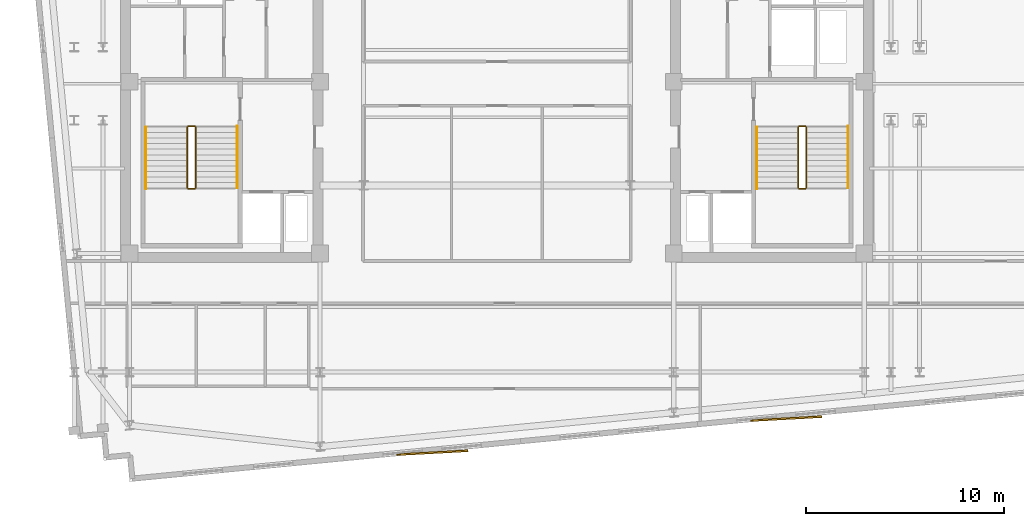
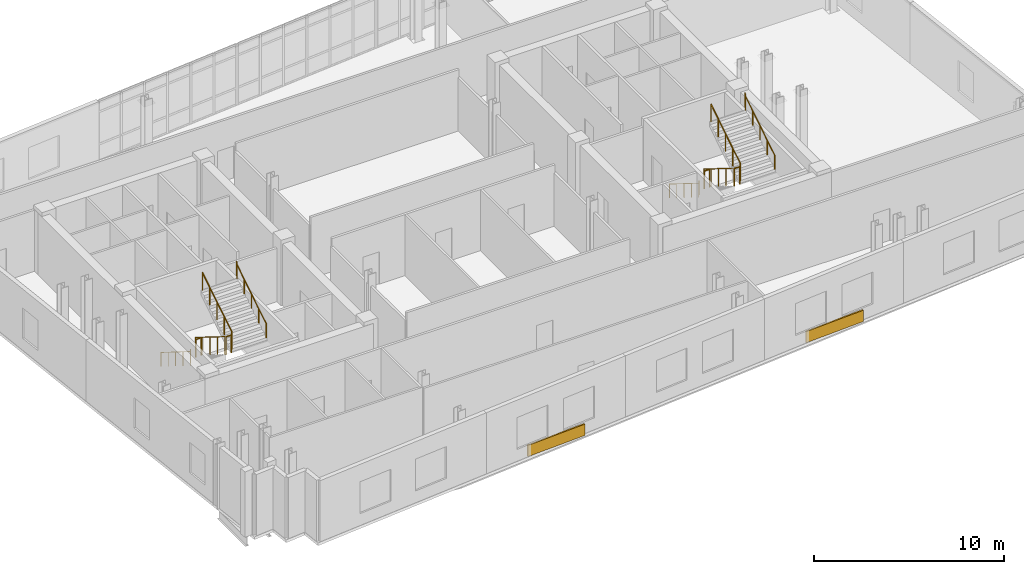
# One storey, part 10 of 11: 12 railings, 2 coverings.
"""IFC4 building model written with IfcOpenShell, lengths in metres."""

import ifcopenshell
import ifcopenshell.guid

model = None  # the IFC model being written
_history = None  # IfcOwnerHistory: only IFC2X3 demands one
_inside = {}  # id of a spatial element -> (the spatial element, [elements in it])
_under = {}  # id of a project, library or spatial element -> (it, [spatial elements below it])
_declared = {}  # id of a project -> (the project, [libraries it declares])
_typed = {}  # id of a type object -> (the type object, [elements of that type])
_made_of = {}  # id of a material, layer set ... -> (it, [elements and type objects made of it])


def new_model(schema):
    """Start an empty IFC model of exactly this schema.

    Asked for "IFC4X3", IfcOpenShell would pick the latest addendum, in which some entities
    have other attributes; the version numbers below select the first issue.
    IFC2X3 requires an IfcOwnerHistory on every rooted entity: one is made here for all.
    """
    global model, _history
    if schema == "IFC4X3":
        model = ifcopenshell.file(schema_version=(4, 3, 0, 0))
    else:
        model = ifcopenshell.file(schema=schema)
    _inside.clear()
    _under.clear()
    _declared.clear()
    _typed.clear()
    _made_of.clear()
    _history = None
    if model.schema == "IFC2X3":
        org = make("IfcOrganization", Name="unknown")
        user = make(
            "IfcPersonAndOrganization",
            ThePerson=make("IfcPerson", FamilyName="unknown"),
            TheOrganization=org,
        )
        app = make(
            "IfcApplication",
            ApplicationDeveloper=org,
            Version="unknown",
            ApplicationFullName="unknown",
            ApplicationIdentifier="unknown",
        )
        _history = make(
            "IfcOwnerHistory",
            OwningUser=user,
            OwningApplication=app,
            ChangeAction="ADDED",
            CreationDate=0,
        )
    return model


def make(cls, **values):
    """One entity of the class cls with the attributes given. An attribute that is None is left unset."""
    return model.create_entity(
        cls, **{name: value for name, value in values.items() if value is not None}
    )


def rooted(cls, **values):
    """An entity with a GlobalId (a new one), such as an element, a storey or a relation."""
    return make(cls, GlobalId=ifcopenshell.guid.new(), OwnerHistory=_history, **values)


def si_unit(unit_type, name, prefix=None):
    """IfcSIUnit, for example si_unit("LENGTHUNIT", "METRE", prefix="MILLI")."""
    return make("IfcSIUnit", UnitType=unit_type, Prefix=prefix, Name=name)


def assignment(units):
    """IfcUnitAssignment: the units of a project."""
    return None if units is None else make("IfcUnitAssignment", Units=units)


def point(xyz):
    """IfcCartesianPoint."""
    return None if xyz is None else make("IfcCartesianPoint", Coordinates=xyz)


def direction(xyz):
    """IfcDirection."""
    return None if xyz is None else make("IfcDirection", DirectionRatios=xyz)


def frame(location, z_axis=None, x_axis=None):
    """IfcAxis2Placement3D, a coordinate frame: its origin and axes. An axis left out is left unset."""
    return make(
        "IfcAxis2Placement3D",
        Location=point(location),
        Axis=direction(z_axis),
        RefDirection=direction(x_axis),
    )


def frame_2d(location, x_axis=None):
    """IfcAxis2Placement2D, a coordinate frame in the plane: its origin and x axis."""
    return make(
        "IfcAxis2Placement2D", Location=point(location), RefDirection=direction(x_axis)
    )


def origin():
    """The frame at (0, 0, 0) with its axes left unset."""
    return frame((0.0, 0.0, 0.0))


def origin_2d():
    """The frame at (0, 0) in the plane with its x axis left unset."""
    return frame_2d((0.0, 0.0))


def place(relative_to, where):
    """IfcLocalPlacement: puts the frame where relative to a parent placement (None: the world)."""
    return make(
        "IfcLocalPlacement", PlacementRelTo=relative_to, RelativePlacement=where
    )


def context(
    kind, dimensions, precision=None, world=None, true_north=None, identifier=None
):
    """IfcGeometricRepresentationContext, for example the 3D "Model" context."""
    return make(
        "IfcGeometricRepresentationContext",
        ContextIdentifier=identifier,
        ContextType=kind,
        CoordinateSpaceDimension=dimensions,
        Precision=precision,
        WorldCoordinateSystem=world,
        TrueNorth=true_north,
    )


def subcontext(parent, identifier, kind, view, scale=None):
    """IfcGeometricRepresentationSubContext, for example "Body" below "Model"."""
    return make(
        "IfcGeometricRepresentationSubContext",
        ContextIdentifier=identifier,
        ContextType=kind,
        ParentContext=parent,
        TargetScale=scale,
        TargetView=view,
    )


def project(units=None, contexts=None):
    """IfcProject with its units and contexts."""
    return rooted(
        "IfcProject",
        Name="project",
        RepresentationContexts=contexts,
        UnitsInContext=assignment(units),
    )


def spatial(cls, under=None, at=None, **own):
    """A site, building, storey or space (cls), placed at a placement, below another one or the project."""
    s = rooted(cls, ObjectPlacement=at, **own)
    if under is not None:
        _under.setdefault(under.id(), (under, []))[1].append(s)
    return s


def profile(cls, at=None, kind="AREA", **sizes):
    """A parametric profile (cls). Its sizes go by their IFC names, for example OverallWidth=200.0."""
    return make(cls, ProfileType=kind, Position=at, **sizes)


def rectangle(**sizes):
    """IfcRectangleProfileDef."""
    return profile("IfcRectangleProfileDef", **sizes)


def circle(**sizes):
    """IfcCircleProfileDef."""
    return profile("IfcCircleProfileDef", **sizes)


def extrude(swept, where, along, depth):
    """IfcExtrudedAreaSolid: the profile swept, set in the frame where, extruded along a direction by depth."""
    return make(
        "IfcExtrudedAreaSolid",
        SweptArea=swept,
        Position=where,
        ExtrudedDirection=direction(along),
        Depth=depth,
    )


def shape(context_of_items, identifier, shape_type, items):
    """IfcShapeRepresentation: the items that make up one representation, for example the "Body"."""
    return make(
        "IfcShapeRepresentation",
        ContextOfItems=context_of_items,
        RepresentationIdentifier=identifier,
        RepresentationType=shape_type,
        Items=items,
    )


def material(Name=None, Category=None):
    """IfcMaterial."""
    return make("IfcMaterial", Name=Name, Category=Category)


def layer(
    of_material, thickness, ventilated=None, Name=None, Category=None, Priority=None
):
    """IfcMaterialLayer: one layer of a wall or slab, of a material (None: an air gap)."""
    return make(
        "IfcMaterialLayer",
        Material=of_material,
        LayerThickness=thickness,
        IsVentilated=ventilated,
        Name=Name,
        Category=Category,
        Priority=Priority,
    )


def layer_set(layers, Name=None):
    """IfcMaterialLayerSet."""
    return make("IfcMaterialLayerSet", MaterialLayers=layers, LayerSetName=Name)


def made_of(thing, what):
    """Note that an element or type object is made of a material, layer set ...; save() writes the relation."""
    if what is not None:
        _made_of.setdefault(what.id(), (what, []))[1].append(thing)
    return thing


def type_object(cls, material=None, **own):
    """A type object (cls), such as IfcWallType, which elements share."""
    return made_of(rooted(cls, **own), material)


def element(
    cls,
    number,
    at=None,
    inside=None,
    cuts=None,
    type_object=None,
    material=None,
    context=None,
    identifier="Body",
    shape_type=None,
    held_by="IfcProductDefinitionShape",
    body=None,
    shapes=None,
    **own,
):
    """One element of the class cls, such as IfcWall. Its Tag is "e" and its number.

    at: its placement. inside: the storey or other place that contains it. cuts: it is an
    opening in that element (IfcRelVoidsElement). A single representation is given by context,
    identifier, shape_type and body (its items); several are given by shapes. held_by: the class
    of the entity that holds the representations. save() writes the other relations.
    """
    e = rooted(cls, Tag="e%d" % number, ObjectPlacement=at, **own)
    if body is not None:
        shapes = [shape(context, identifier, shape_type, body)]
    if shapes is not None:
        e.Representation = make(held_by, Representations=shapes)
    if inside is not None:
        _inside.setdefault(inside.id(), (inside, []))[1].append(e)
    if cuts is not None:
        rooted(
            "IfcRelVoidsElement", RelatingBuildingElement=cuts, RelatedOpeningElement=e
        )
    if type_object is not None:
        _typed.setdefault(type_object.id(), (type_object, []))[1].append(e)
    return made_of(e, material)


def aggregate(whole, parts):
    """IfcRelAggregates: a whole, such as a stair, and the parts it consists of."""
    return rooted("IfcRelAggregates", RelatingObject=whole, RelatedObjects=parts)


def save(model, path):
    """Write the relations noted so far, then the file.

    IfcRelAggregates (storeys below a building ...), IfcRelContainedInSpatialStructure (elements
    in a storey), IfcRelDefinesByType, IfcRelAssociatesMaterial and IfcRelDeclares: one each for
    every whole, place, type object, material and project.
    """
    for whole, parts in _under.values():
        aggregate(whole, parts)
    for where, things in _inside.values():
        rooted(
            "IfcRelContainedInSpatialStructure",
            RelatedElements=things,
            RelatingStructure=where,
        )
    for kind, things in _typed.values():
        rooted("IfcRelDefinesByType", RelatedObjects=things, RelatingType=kind)
    for what, things in _made_of.values():
        rooted("IfcRelAssociatesMaterial", RelatedObjects=things, RelatingMaterial=what)
    for by, libraries in _declared.values():
        rooted("IfcRelDeclares", RelatingContext=by, RelatedDefinitions=libraries)
    model.write(path)


model = new_model("IFC4")

# Units and contexts
model_context = context("Model", 3, precision=1e-05, world=origin(), true_north=direction((0.0, 1.0)))
body_context = subcontext(model_context, "Body", "Model", "MODEL_VIEW")
ifc_project = project(units=[si_unit("LENGTHUNIT", "METRE"), si_unit("AREAUNIT", "SQUARE_METRE"), si_unit("VOLUMEUNIT", "CUBIC_METRE"), si_unit("PLANEANGLEUNIT", "RADIAN"), si_unit("MASSUNIT", "GRAM", prefix="KILO")], contexts=[model_context])

# Site, building, storey
site_placement = place(None, origin())
site = spatial("IfcSite", under=ifc_project, at=site_placement, CompositionType="ELEMENT")
building_placement = place(site_placement, origin())
building = spatial("IfcBuilding", under=site, at=building_placement, Name="Velakula Bourse", CompositionType="ELEMENT")
storey_placement = place(building_placement, frame((0.0, 0.0, 282.75)))
storey = spatial("IfcBuildingStorey", under=building, at=storey_placement, Name="L77", CompositionType="ELEMENT", Elevation=282.75)

# Coverings
ifc_material_1 = material(Name="Buff kilned clay facing brick masonry", Category="masonry")
ifc_layer = layer(ifc_material_1, 0.074951171875, Name="Buff kilned clay facing brick masonry", Category="masonry")
ifc_layer_set = layer_set([ifc_layer], Name="Buff kilned clay facing brick masonry")
covering_type = type_object("IfcCoveringType", Name="COV-BRK-SPN-75", PredefinedType="CLADDING", material=ifc_layer_set)
for number, where, z_axis, x_axis, name in (
    (1, (-3.26220703125, -18.68115234375, 0.0), (0.0, 0.0, 1.0), (0.998489097451, 0.054950179912, 0.0), "L77 Folded Brick Facade Cladding Panel S-B2"),
    (2, (14.655029296875, -16.955810546875, 0.0), (0.0, 0.0, 1.0), (0.998489097451, 0.054950179912, 0.0), "L77 Folded Brick Facade Cladding Panel S-B4"),
):
    element("IfcCovering", number, at=place(storey_placement, frame(where, z_axis=z_axis, x_axis=x_axis)), inside=storey, type_object=covering_type, Name=name, PredefinedType="CLADDING", context=body_context, shape_type="SweptSolid", body=[
        extrude(rectangle(XDim=3.60009765625, YDim=0.090087890625, at=origin_2d()), origin(), (0.0, 0.0, 1.0), 0.719970703125),
    ])

# Railings
ifc_material_2 = material(Name="Brushed grade 316 stainless steel", Category="steel")
railing_type_1 = type_object("IfcRailingType", Name="RLG-STAIR-GUARD-1150", PredefinedType="BALUSTRADE", material=ifc_material_2)
railing_1_placement = place(storey_placement, frame((-15.672119140625, -2.199951171875, 0.175048828125)))
element("IfcRailing", 3, at=railing_1_placement, inside=storey, type_object=railing_type_1, Name="L77 ST-W1 stair guard 1", PredefinedType="BALUSTRADE", context=body_context, shape_type="SweptSolid", body=[
    extrude(circle(Radius=0.02490234375, at=origin_2d()), frame((0.0, 0.0, 1.125), z_axis=(0.0, -0.847998304005, 0.529998940003), x_axis=(1.0, 0.0, 0.0)), (0.0, 0.0, 1.0), 3.632080078125),
    extrude(circle(Radius=0.02099609375, at=origin_2d()), origin(), (0.0, 0.0, 1.0), 1.099853515625),
    extrude(circle(Radius=0.02099609375, at=origin_2d()), frame((0.0, -0.77001953125, 0.481201171875)), (0.0, 0.0, 1.0), 1.099853515625),
    extrude(circle(Radius=0.02099609375, at=origin_2d()), frame((0.0, -1.5400390625, 0.96240234375)), (0.0, 0.0, 1.0), 1.099853515625),
    extrude(circle(Radius=0.02099609375, at=origin_2d()), frame((0.0, -2.31005859375, 1.44384765625)), (0.0, 0.0, 1.0), 1.099853515625),
    extrude(circle(Radius=0.02099609375, at=origin_2d()), frame((0.0, -3.080078125, 1.925048828125)), (0.0, 0.0, 1.0), 1.099853515625),
])
railing_2_placement = place(storey_placement, frame((-15.6220703125, -5.330078125, 2.10009765625)))
element("IfcRailing", 4, at=railing_2_placement, inside=storey, type_object=railing_type_1, Name="L77 ST-W1 stair guard 2", PredefinedType="BALUSTRADE", context=body_context, shape_type="SweptSolid", body=[
    extrude(circle(Radius=0.02490234375, at=origin_2d()), frame((0.0, 0.0, 1.125), z_axis=(1.0, 0.0, 0.0), x_axis=(0.0, 1.0, 0.0)), (0.0, 0.0, 1.0), 0.323974609375),
    extrude(circle(Radius=0.02099609375, at=origin_2d()), origin(), (0.0, 0.0, 1.0), 1.099853515625),
    extrude(circle(Radius=0.02099609375, at=origin_2d()), frame((0.323974609375, 0.0, 0.0)), (0.0, 0.0, 1.0), 1.099853515625),
])
railing_3_placement = place(storey_placement, frame((-15.248046875, -5.280029296875, 2.27490234375)))
element("IfcRailing", 5, at=railing_3_placement, inside=storey, type_object=railing_type_1, Name="L77 ST-W1 stair guard 3", PredefinedType="BALUSTRADE", context=body_context, shape_type="SweptSolid", body=[
    extrude(circle(Radius=0.02490234375, at=origin_2d()), frame((0.0, 0.0, 1.125), z_axis=(0.0, 0.847998304005, 0.529998940003), x_axis=(-1.0, 0.0, 0.0)), (0.0, 0.0, 1.0), 3.632080078125),
    extrude(circle(Radius=0.02099609375, at=origin_2d()), origin(), (0.0, 0.0, 1.0), 1.099853515625),
    extrude(circle(Radius=0.02099609375, at=origin_2d()), frame((0.0, 0.77001953125, 0.481201171875)), (0.0, 0.0, 1.0), 1.099853515625),
    extrude(circle(Radius=0.02099609375, at=origin_2d()), frame((0.0, 1.5400390625, 0.96240234375)), (0.0, 0.0, 1.0), 1.099853515625),
    extrude(circle(Radius=0.02099609375, at=origin_2d()), frame((0.0, 2.31005859375, 1.44384765625)), (0.0, 0.0, 1.0), 1.099853515625),
    extrude(circle(Radius=0.02099609375, at=origin_2d()), frame((0.0, 3.080078125, 1.925048828125)), (0.0, 0.0, 1.0), 1.099853515625),
])
railing_4_placement = place(storey_placement, frame((-15.6220703125, -2.14990234375, 0.0)))
element("IfcRailing", 6, at=railing_4_placement, inside=storey, type_object=railing_type_1, Name="L77 ST-W1 stair guard 4", PredefinedType="BALUSTRADE", context=body_context, shape_type="SweptSolid", body=[
    extrude(circle(Radius=0.02490234375, at=origin_2d()), frame((0.0, 0.0, 1.125), z_axis=(1.0, 0.0, 0.0), x_axis=(0.0, 1.0, 0.0)), (0.0, 0.0, 1.0), 0.323974609375),
    extrude(circle(Radius=0.02099609375, at=origin_2d()), origin(), (0.0, 0.0, 1.0), 1.099853515625),
    extrude(circle(Radius=0.02099609375, at=origin_2d()), frame((0.323974609375, 0.0, 0.0)), (0.0, 0.0, 1.0), 1.099853515625),
])
railing_5_placement = place(storey_placement, frame((15.248046875, -2.199951171875, 0.175048828125)))
element("IfcRailing", 7, at=railing_5_placement, inside=storey, type_object=railing_type_1, Name="L77 ST-E1 stair guard 1", PredefinedType="BALUSTRADE", context=body_context, shape_type="SweptSolid", body=[
    extrude(circle(Radius=0.02490234375, at=origin_2d()), frame((0.0, 0.0, 1.125), z_axis=(0.0, -0.847998304005, 0.529998940003), x_axis=(1.0, 0.0, 0.0)), (0.0, 0.0, 1.0), 3.632080078125),
    extrude(circle(Radius=0.02099609375, at=origin_2d()), origin(), (0.0, 0.0, 1.0), 1.099853515625),
    extrude(circle(Radius=0.02099609375, at=origin_2d()), frame((0.0, -0.77001953125, 0.481201171875)), (0.0, 0.0, 1.0), 1.099853515625),
    extrude(circle(Radius=0.02099609375, at=origin_2d()), frame((0.0, -1.5400390625, 0.96240234375)), (0.0, 0.0, 1.0), 1.099853515625),
    extrude(circle(Radius=0.02099609375, at=origin_2d()), frame((0.0, -2.31005859375, 1.44384765625)), (0.0, 0.0, 1.0), 1.099853515625),
    extrude(circle(Radius=0.02099609375, at=origin_2d()), frame((0.0, -3.080078125, 1.925048828125)), (0.0, 0.0, 1.0), 1.099853515625),
])
railing_6_placement = place(storey_placement, frame((15.298095703125, -5.330078125, 2.10009765625)))
element("IfcRailing", 8, at=railing_6_placement, inside=storey, type_object=railing_type_1, Name="L77 ST-E1 stair guard 2", PredefinedType="BALUSTRADE", context=body_context, shape_type="SweptSolid", body=[
    extrude(circle(Radius=0.02490234375, at=origin_2d()), frame((0.0, 0.0, 1.125), z_axis=(1.0, 0.0, 0.0), x_axis=(0.0, 1.0, 0.0)), (0.0, 0.0, 1.0), 0.323974609375),
    extrude(circle(Radius=0.02099609375, at=origin_2d()), origin(), (0.0, 0.0, 1.0), 1.099853515625),
    extrude(circle(Radius=0.02099609375, at=origin_2d()), frame((0.323974609375, 0.0, 0.0)), (0.0, 0.0, 1.0), 1.099853515625),
])
railing_7_placement = place(storey_placement, frame((15.672119140625, -5.280029296875, 2.27490234375)))
element("IfcRailing", 9, at=railing_7_placement, inside=storey, type_object=railing_type_1, Name="L77 ST-E1 stair guard 3", PredefinedType="BALUSTRADE", context=body_context, shape_type="SweptSolid", body=[
    extrude(circle(Radius=0.02490234375, at=origin_2d()), frame((0.0, 0.0, 1.125), z_axis=(0.0, 0.847998304005, 0.529998940003), x_axis=(-1.0, 0.0, 0.0)), (0.0, 0.0, 1.0), 3.632080078125),
    extrude(circle(Radius=0.02099609375, at=origin_2d()), origin(), (0.0, 0.0, 1.0), 1.099853515625),
    extrude(circle(Radius=0.02099609375, at=origin_2d()), frame((0.0, 0.77001953125, 0.481201171875)), (0.0, 0.0, 1.0), 1.099853515625),
    extrude(circle(Radius=0.02099609375, at=origin_2d()), frame((0.0, 1.5400390625, 0.96240234375)), (0.0, 0.0, 1.0), 1.099853515625),
    extrude(circle(Radius=0.02099609375, at=origin_2d()), frame((0.0, 2.31005859375, 1.44384765625)), (0.0, 0.0, 1.0), 1.099853515625),
    extrude(circle(Radius=0.02099609375, at=origin_2d()), frame((0.0, 3.080078125, 1.925048828125)), (0.0, 0.0, 1.0), 1.099853515625),
])
railing_8_placement = place(storey_placement, frame((15.298095703125, -2.14990234375, 0.0)))
element("IfcRailing", 10, at=railing_8_placement, inside=storey, type_object=railing_type_1, Name="L77 ST-E1 stair guard 4", PredefinedType="BALUSTRADE", context=body_context, shape_type="SweptSolid", body=[
    extrude(circle(Radius=0.02490234375, at=origin_2d()), frame((0.0, 0.0, 1.125), z_axis=(1.0, 0.0, 0.0), x_axis=(0.0, 1.0, 0.0)), (0.0, 0.0, 1.0), 0.323974609375),
    extrude(circle(Radius=0.02099609375, at=origin_2d()), origin(), (0.0, 0.0, 1.0), 1.099853515625),
    extrude(circle(Radius=0.02099609375, at=origin_2d()), frame((0.323974609375, 0.0, 0.0)), (0.0, 0.0, 1.0), 1.099853515625),
])
railing_type_2 = type_object("IfcRailingType", Name="RLG-STAIR-HAND-920", PredefinedType="HANDRAIL", material=ifc_material_2)
railing_9_placement = place(storey_placement, frame((-17.77001953125, -2.199951171875, 0.175048828125)))
element("IfcRailing", 11, at=railing_9_placement, inside=storey, type_object=railing_type_2, Name="L77 ST-W1 stair handrail 1", PredefinedType="HANDRAIL", context=body_context, shape_type="SweptSolid", body=[
    extrude(circle(Radius=0.02099609375, at=origin_2d()), frame((0.0, 0.0, 0.89892578125), z_axis=(0.0, -0.847998304005, 0.529998940003), x_axis=(1.0, 0.0, 0.0)), (0.0, 0.0, 1.0), 3.632080078125),
    extrude(circle(Radius=0.02099609375, at=origin_2d()), frame((0.0, -3.080078125, 2.823974609375), z_axis=(0.0, -0.223268366363, 0.974757014123), x_axis=(1.0, 0.0, 0.0)), (0.0, 0.0, 1.0), 0.179443359375),
    extrude(circle(Radius=0.02099609375, at=origin_2d()), frame((0.0, -3.1201171875, 2.998779296875), z_axis=(0.0, -1.0, 0.0), x_axis=(1.0, 0.0, 0.0)), (0.0, 0.0, 1.0), 0.0048828125),
    extrude(circle(Radius=0.02099609375, at=origin_2d()), origin(), (0.0, 0.0, 1.0), 0.8779296875),
    extrude(circle(Radius=0.02099609375, at=origin_2d()), frame((0.0, -0.77001953125, 0.481201171875)), (0.0, 0.0, 1.0), 0.8779296875),
    extrude(circle(Radius=0.02099609375, at=origin_2d()), frame((0.0, -1.5400390625, 0.96240234375)), (0.0, 0.0, 1.0), 0.8779296875),
    extrude(circle(Radius=0.02099609375, at=origin_2d()), frame((0.0, -2.31005859375, 1.44384765625)), (0.0, 0.0, 1.0), 0.8779296875),
    extrude(circle(Radius=0.02099609375, at=origin_2d()), frame((0.0, -3.080078125, 1.925048828125)), (0.0, 0.0, 1.0), 0.8779296875),
    extrude(circle(Radius=0.02099609375, at=origin_2d()), frame((0.0, -3.1201171875, 2.099853515625)), (0.0, 0.0, 1.0), 0.8779296875),
    extrude(circle(Radius=0.02099609375, at=origin_2d()), frame((0.0, -3.125, 2.099853515625)), (0.0, 0.0, 1.0), 0.8779296875),
])
railing_10_placement = place(storey_placement, frame((-13.14990234375, -5.280029296875, 2.27490234375)))
element("IfcRailing", 12, at=railing_10_placement, inside=storey, type_object=railing_type_2, Name="L77 ST-W1 stair handrail 2", PredefinedType="HANDRAIL", context=body_context, shape_type="SweptSolid", body=[
    extrude(circle(Radius=0.02099609375, at=origin_2d()), frame((0.0, 0.0, 0.89892578125), z_axis=(0.0, 0.847998304005, 0.529998940003), x_axis=(-1.0, 0.0, 0.0)), (0.0, 0.0, 1.0), 3.632080078125),
    extrude(circle(Radius=0.02099609375, at=origin_2d()), frame((0.0, 3.080078125, 2.823974609375), z_axis=(0.0, 0.222972465624, 0.974824743004), x_axis=(-1.0, 0.0, 0.0)), (0.0, 0.0, 1.0), 0.1796875),
    extrude(circle(Radius=0.02099609375, at=origin_2d()), frame((0.0, 3.1201171875, 2.9990234375), z_axis=(0.0, 1.0, 0.0), x_axis=(-1.0, 0.0, 0.0)), (0.0, 0.0, 1.0), 0.0048828125),
    extrude(circle(Radius=0.02099609375, at=origin_2d()), origin(), (0.0, 0.0, 1.0), 0.8779296875),
    extrude(circle(Radius=0.02099609375, at=origin_2d()), frame((0.0, 0.77001953125, 0.481201171875)), (0.0, 0.0, 1.0), 0.8779296875),
    extrude(circle(Radius=0.02099609375, at=origin_2d()), frame((0.0, 1.5400390625, 0.96240234375)), (0.0, 0.0, 1.0), 0.8779296875),
    extrude(circle(Radius=0.02099609375, at=origin_2d()), frame((0.0, 2.31005859375, 1.44384765625)), (0.0, 0.0, 1.0), 0.8779296875),
    extrude(circle(Radius=0.02099609375, at=origin_2d()), frame((0.0, 3.080078125, 1.925048828125)), (0.0, 0.0, 1.0), 0.8779296875),
    extrude(circle(Radius=0.02099609375, at=origin_2d()), frame((0.0, 3.1201171875, 2.10009765625)), (0.0, 0.0, 1.0), 0.8779296875),
    extrude(circle(Radius=0.02099609375, at=origin_2d()), frame((0.0, 3.125, 2.10009765625)), (0.0, 0.0, 1.0), 0.8779296875),
])
railing_11_placement = place(storey_placement, frame((13.14990234375, -2.199951171875, 0.175048828125)))
element("IfcRailing", 13, at=railing_11_placement, inside=storey, type_object=railing_type_2, Name="L77 ST-E1 stair handrail 1", PredefinedType="HANDRAIL", context=body_context, shape_type="SweptSolid", body=[
    extrude(circle(Radius=0.02099609375, at=origin_2d()), frame((0.0, 0.0, 0.89892578125), z_axis=(0.0, -0.847998304005, 0.529998940003), x_axis=(1.0, 0.0, 0.0)), (0.0, 0.0, 1.0), 3.632080078125),
    extrude(circle(Radius=0.02099609375, at=origin_2d()), frame((0.0, -3.080078125, 2.823974609375), z_axis=(0.0, -0.223268366363, 0.974757014123), x_axis=(1.0, 0.0, 0.0)), (0.0, 0.0, 1.0), 0.179443359375),
    extrude(circle(Radius=0.02099609375, at=origin_2d()), frame((0.0, -3.1201171875, 2.998779296875), z_axis=(0.0, -1.0, 0.0), x_axis=(1.0, 0.0, 0.0)), (0.0, 0.0, 1.0), 0.0048828125),
    extrude(circle(Radius=0.02099609375, at=origin_2d()), origin(), (0.0, 0.0, 1.0), 0.8779296875),
    extrude(circle(Radius=0.02099609375, at=origin_2d()), frame((0.0, -0.77001953125, 0.481201171875)), (0.0, 0.0, 1.0), 0.8779296875),
    extrude(circle(Radius=0.02099609375, at=origin_2d()), frame((0.0, -1.5400390625, 0.96240234375)), (0.0, 0.0, 1.0), 0.8779296875),
    extrude(circle(Radius=0.02099609375, at=origin_2d()), frame((0.0, -2.31005859375, 1.44384765625)), (0.0, 0.0, 1.0), 0.8779296875),
    extrude(circle(Radius=0.02099609375, at=origin_2d()), frame((0.0, -3.080078125, 1.925048828125)), (0.0, 0.0, 1.0), 0.8779296875),
    extrude(circle(Radius=0.02099609375, at=origin_2d()), frame((0.0, -3.1201171875, 2.099853515625)), (0.0, 0.0, 1.0), 0.8779296875),
    extrude(circle(Radius=0.02099609375, at=origin_2d()), frame((0.0, -3.125, 2.099853515625)), (0.0, 0.0, 1.0), 0.8779296875),
])
railing_12_placement = place(storey_placement, frame((17.77001953125, -5.280029296875, 2.27490234375)))
element("IfcRailing", 14, at=railing_12_placement, inside=storey, type_object=railing_type_2, Name="L77 ST-E1 stair handrail 2", PredefinedType="HANDRAIL", context=body_context, shape_type="SweptSolid", body=[
    extrude(circle(Radius=0.02099609375, at=origin_2d()), frame((0.0, 0.0, 0.89892578125), z_axis=(0.0, 0.847998304005, 0.529998940003), x_axis=(-1.0, 0.0, 0.0)), (0.0, 0.0, 1.0), 3.632080078125),
    extrude(circle(Radius=0.02099609375, at=origin_2d()), frame((0.0, 3.080078125, 2.823974609375), z_axis=(0.0, 0.222972465624, 0.974824743004), x_axis=(-1.0, 0.0, 0.0)), (0.0, 0.0, 1.0), 0.1796875),
    extrude(circle(Radius=0.02099609375, at=origin_2d()), frame((0.0, 3.1201171875, 2.9990234375), z_axis=(0.0, 1.0, 0.0), x_axis=(-1.0, 0.0, 0.0)), (0.0, 0.0, 1.0), 0.0048828125),
    extrude(circle(Radius=0.02099609375, at=origin_2d()), origin(), (0.0, 0.0, 1.0), 0.8779296875),
    extrude(circle(Radius=0.02099609375, at=origin_2d()), frame((0.0, 0.77001953125, 0.481201171875)), (0.0, 0.0, 1.0), 0.8779296875),
    extrude(circle(Radius=0.02099609375, at=origin_2d()), frame((0.0, 1.5400390625, 0.96240234375)), (0.0, 0.0, 1.0), 0.8779296875),
    extrude(circle(Radius=0.02099609375, at=origin_2d()), frame((0.0, 2.31005859375, 1.44384765625)), (0.0, 0.0, 1.0), 0.8779296875),
    extrude(circle(Radius=0.02099609375, at=origin_2d()), frame((0.0, 3.080078125, 1.925048828125)), (0.0, 0.0, 1.0), 0.8779296875),
    extrude(circle(Radius=0.02099609375, at=origin_2d()), frame((0.0, 3.1201171875, 2.10009765625)), (0.0, 0.0, 1.0), 0.8779296875),
    extrude(circle(Radius=0.02099609375, at=origin_2d()), frame((0.0, 3.125, 2.10009765625)), (0.0, 0.0, 1.0), 0.8779296875),
])

save(model, "model.ifc")
